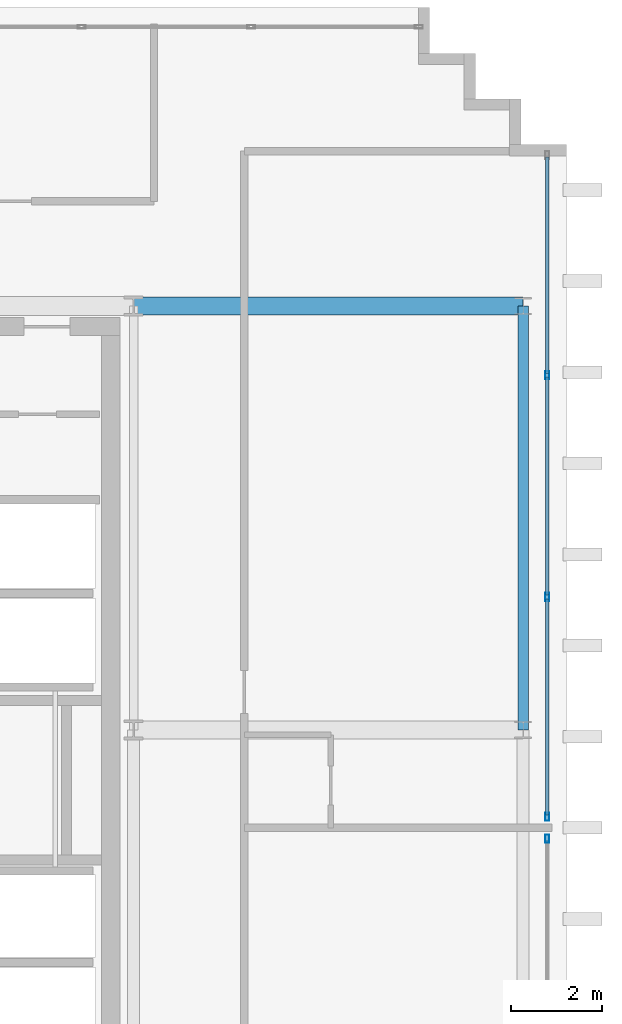
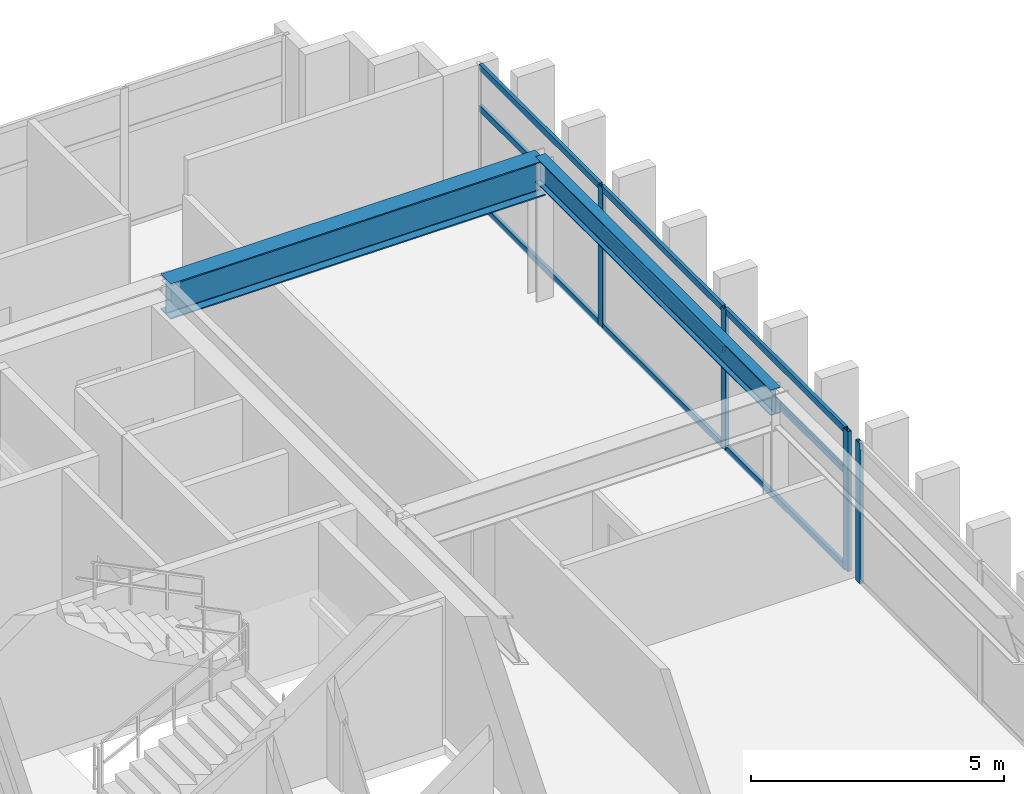
# One storey, part 8 of 15: 13 members, 2 beams, 2 elements without a shape of their own.
"""IFC4 building model written with IfcOpenShell, lengths in metres."""

from ifc_helpers import new_model, si_unit, direction, frame, origin, origin_2d, place, context, subcontext, project, spatial, hollow_rectangle, i_section, extrude, source, transform, mapped, material, layer, layer_set, material_profile, profile_set, type_object, element, aggregate, save


model = new_model("IFC4")

# Units and contexts
model_context = context("Model", 3, precision=1e-05, world=origin(), true_north=direction((0.0, 1.0)))
body_context = subcontext(model_context, "Body", "Model", "MODEL_VIEW")
ifc_project = project(units=[si_unit("LENGTHUNIT", "METRE"), si_unit("AREAUNIT", "SQUARE_METRE"), si_unit("VOLUMEUNIT", "CUBIC_METRE"), si_unit("PLANEANGLEUNIT", "RADIAN"), si_unit("MASSUNIT", "GRAM", prefix="KILO")], contexts=[model_context])

# Site, building, storey
site_placement = place(None, origin())
site = spatial("IfcSite", under=ifc_project, at=site_placement, CompositionType="ELEMENT")
building_placement = place(site_placement, origin())
building = spatial("IfcBuilding", under=site, at=building_placement, Name="Ocotamira Hotel", CompositionType="ELEMENT")
storey_placement = place(building_placement, frame((0.0, 0.0, 294.0)))
storey = spatial("IfcBuildingStorey", under=building, at=storey_placement, Name="L75", CompositionType="ELEMENT", Elevation=294.0)

# Beams
ifc_material_1 = material(Name="Steel ASTM A992 Grade 50", Category="steel")
ifc_material_profile_1 = material_profile(ifc_material_1, i_section(OverallWidth=0.22998046875, OverallDepth=0.616943359375, WebThickness=0.01318359375, FlangeThickness=0.022216796875, FilletRadius=0.012939453125, at=origin_2d()), Name="W24X94")
ifc_profile_set_1 = profile_set([ifc_material_profile_1], Name="Steel ASTM A992 Grade 50")
beam_type_1 = type_object("IfcBeamType", Name="BM-PRIM-W24X94", PredefinedType="BEAM", material=ifc_profile_set_1)
shared_shape_1 = source(origin(), body_context, "Body", "SweptSolid", [
    extrude(i_section(OverallWidth=0.22998046875, OverallDepth=0.616943359375, WebThickness=0.01318359375, FlangeThickness=0.022216796875, FilletRadius=0.012939453125, at=origin_2d()), origin(), (0.0, 0.0, 1.0), 9.300048828125),
])
beam_1_placement = place(storey_placement, frame((32.050048828125, 28.14990234375, 3.071533203125), z_axis=(0.0, 1.0, 0.0), x_axis=(-1.0, 0.0, 0.0)))
element("IfcBeam", 1, at=beam_1_placement, inside=storey, type_object=beam_type_1, Name="L75 Beam X32.05 Y28.15-37.45", PredefinedType="BEAM", context=body_context, shape_type="MappedRepresentation", body=[
    mapped(shared_shape_1, transform((0.0, 0.0, 0.0), scale=1.0)),
])
ifc_material_profile_2 = material_profile(ifc_material_1, i_section(OverallWidth=0.39990234375, OverallDepth=0.85595703125, WebThickness=0.018310546875, FlangeThickness=0.029296875, FilletRadius=0.02001953125, at=origin_2d()), Name="W33X201")
ifc_profile_set_2 = profile_set([ifc_material_profile_2], Name="Steel ASTM A992 Grade 50")
beam_type_2 = type_object("IfcBeamType", Name="BM-GIRD-W33X201", PredefinedType="BEAM", material=ifc_profile_set_2)
shared_shape_2 = source(origin(), body_context, "Body", "SweptSolid", [
    extrude(i_section(OverallWidth=0.39990234375, OverallDepth=0.85595703125, WebThickness=0.018310546875, FlangeThickness=0.029296875, FilletRadius=0.02001953125, at=origin_2d()), origin(), (0.0, 0.0, 1.0), 8.550048828125),
])
beam_2_placement = place(storey_placement, frame((23.5, 37.449951171875, 2.951904296875), z_axis=(1.0, 0.0, 0.0), x_axis=(0.0, 1.0, 0.0)))
element("IfcBeam", 2, at=beam_2_placement, inside=storey, type_object=beam_type_2, Name="L75 Girder Y37.45 X23.5-32.05", PredefinedType="BEAM", context=body_context, shape_type="MappedRepresentation", body=[
    mapped(shared_shape_2, transform((0.0, 0.0, 0.0), scale=1.0)),
])

# Curtain wall, member
ifc_material_2 = material(Name="Anodised pale-metal aluminium and solar glass", Category="aluminium")
ifc_layer = layer(ifc_material_2, 0.2099609375)
ifc_layer_set = layer_set([ifc_layer], Name="Anodised pale-metal aluminium and solar glass")
curtain_wall_type = type_object("IfcCurtainWallType", Name="CW-SYS7-PEAK", PredefinedType="NOTDEFINED", material=ifc_layer_set)
curtain_wall_1_placement = place(storey_placement, origin())
curtain_wall_1 = element("IfcCurtainWall", 3, at=curtain_wall_1_placement, inside=storey, type_object=curtain_wall_type, Name="L75 Curtain Wall CW-7 CW-L75-E1", PredefinedType="NOTDEFINED")
ifc_material_3 = material(Name="Anodised pale-metal aluminium 6063-T6", Category="aluminium")
ifc_material_profile_3 = material_profile(ifc_material_3, hollow_rectangle(XDim=0.080078125, YDim=0.179931640625, WallThickness=0.006103515625, at=origin_2d()), Name="HSS180X80X6")
ifc_profile_set_3 = profile_set([ifc_material_profile_3], Name="Anodised pale-metal aluminium 6063-T6")
member_type_1 = type_object("IfcMemberType", Name="CWM-180X75", PredefinedType="MULLION", material=ifc_profile_set_3)
shared_shape_3 = source(origin(), body_context, "Body", "SweptSolid", [
    extrude(hollow_rectangle(XDim=0.080078125, YDim=0.179931640625, WallThickness=0.006103515625, at=origin_2d()), origin(), (0.0, 0.0, 1.0), 3.3798828125),
])
member_1_placement = place(storey_placement, frame((32.580078125, 25.760009765625, 0.0), z_axis=(0.0, 0.0, 1.0), x_axis=(-1.0, 0.0, 0.0)))
member_1 = element("IfcMember", 4, at=member_1_placement, type_object=member_type_1, Name="CW-7 mullion 4", PredefinedType="MULLION", context=body_context, shape_type="MappedRepresentation", body=[
    mapped(shared_shape_3, transform((0.0, 0.0, 0.0), scale=1.0)),
])
aggregate(curtain_wall_1, [member_1])

# Curtain wall, members
curtain_wall_2_placement = place(storey_placement, origin())
curtain_wall_2 = element("IfcCurtainWall", 5, at=curtain_wall_2_placement, inside=storey, type_object=curtain_wall_type, Name="L75 Curtain Wall CW-7 CW-L75-E2", PredefinedType="NOTDEFINED")
member_2_placement = place(storey_placement, frame((32.580078125, 26.239990234375, 0.0), z_axis=(0.0, 0.0, 1.0), x_axis=(-1.0, 0.0, 0.0)))
member_2 = element("IfcMember", 6, at=member_2_placement, type_object=member_type_1, Name="CW-7 mullion 1", PredefinedType="MULLION", context=body_context, shape_type="MappedRepresentation", body=[
    mapped(shared_shape_3, transform((0.0, 0.0, 0.0), scale=1.0)),
])
member_3_placement = place(storey_placement, frame((32.580078125, 31.066650390625, 0.0), z_axis=(0.0, 0.0, 1.0), x_axis=(-1.0, 0.0, 0.0)))
member_3 = element("IfcMember", 7, at=member_3_placement, type_object=member_type_1, Name="CW-7 mullion 2", PredefinedType="MULLION", context=body_context, shape_type="MappedRepresentation", body=[
    mapped(shared_shape_3, transform((0.0, 0.0, 0.0), scale=1.0)),
])
member_4_placement = place(storey_placement, frame((32.580078125, 35.933349609375, 0.0), z_axis=(0.0, 0.0, 1.0), x_axis=(-1.0, 0.0, 0.0)))
member_4 = element("IfcMember", 8, at=member_4_placement, type_object=member_type_1, Name="CW-7 mullion 3", PredefinedType="MULLION", context=body_context, shape_type="MappedRepresentation", body=[
    mapped(shared_shape_3, transform((0.0, 0.0, 0.0), scale=1.0)),
])
ifc_material_profile_4 = material_profile(ifc_material_3, hollow_rectangle(XDim=0.074951171875, YDim=0.14990234375, WallThickness=0.006103515625, at=origin_2d()), Name="HSS150X75X6")
ifc_profile_set_4 = profile_set([ifc_material_profile_4], Name="Anodised pale-metal aluminium 6063-T6")
member_type_2 = type_object("IfcMemberType", Name="CWT-150X75", PredefinedType="USERDEFINED", material=ifc_profile_set_4)
shared_shape_4 = source(origin(), body_context, "Body", "SweptSolid", [
    extrude(hollow_rectangle(XDim=0.074951171875, YDim=0.14990234375, WallThickness=0.006103515625, at=origin_2d()), origin(), (0.0, 0.0, 1.0), 4.74658203125),
])
member_5_placement = place(storey_placement, frame((32.580078125, 26.280029296875, 0.03759765625), z_axis=(0.0, 1.0, 0.0), x_axis=(-1.0, 0.0, 0.0)))
member_5 = element("IfcMember", 9, at=member_5_placement, type_object=member_type_2, Name="CW-7 transom 1.1", ObjectType="TRANSOM", PredefinedType="USERDEFINED", context=body_context, shape_type="MappedRepresentation", body=[
    mapped(shared_shape_4, transform((0.0, 0.0, 0.0), scale=1.0)),
])
member_6_placement = place(storey_placement, frame((32.580078125, 26.280029296875, 2.35009765625), z_axis=(0.0, 1.0, 0.0), x_axis=(-1.0, 0.0, 0.0)))
member_6 = element("IfcMember", 10, at=member_6_placement, type_object=member_type_2, Name="CW-7 transom 1.2", ObjectType="TRANSOM", PredefinedType="USERDEFINED", context=body_context, shape_type="MappedRepresentation", body=[
    mapped(shared_shape_4, transform((0.0, 0.0, 0.0), scale=1.0)),
])
member_7_placement = place(storey_placement, frame((32.580078125, 26.280029296875, 3.342529296875), z_axis=(0.0, 1.0, 0.0), x_axis=(-1.0, 0.0, 0.0)))
member_7 = element("IfcMember", 11, at=member_7_placement, type_object=member_type_2, Name="CW-7 transom 1.3", ObjectType="TRANSOM", PredefinedType="USERDEFINED", context=body_context, shape_type="MappedRepresentation", body=[
    mapped(shared_shape_4, transform((0.0, 0.0, 0.0), scale=1.0)),
])
member_8_placement = place(storey_placement, frame((32.580078125, 35.973388671875, 0.03759765625), z_axis=(0.0, 1.0, 0.0), x_axis=(-1.0, 0.0, 0.0)))
member_8 = element("IfcMember", 12, at=member_8_placement, type_object=member_type_2, Name="CW-7 transom 3.1", ObjectType="TRANSOM", PredefinedType="USERDEFINED", context=body_context, shape_type="MappedRepresentation", body=[
    mapped(shared_shape_4, transform((0.0, 0.0, 0.0), scale=1.0)),
])
member_9_placement = place(storey_placement, frame((32.580078125, 35.973388671875, 2.35009765625), z_axis=(0.0, 1.0, 0.0), x_axis=(-1.0, 0.0, 0.0)))
member_9 = element("IfcMember", 13, at=member_9_placement, type_object=member_type_2, Name="CW-7 transom 3.2", ObjectType="TRANSOM", PredefinedType="USERDEFINED", context=body_context, shape_type="MappedRepresentation", body=[
    mapped(shared_shape_4, transform((0.0, 0.0, 0.0), scale=1.0)),
])
member_10_placement = place(storey_placement, frame((32.580078125, 35.973388671875, 3.342529296875), z_axis=(0.0, 1.0, 0.0), x_axis=(-1.0, 0.0, 0.0)))
member_10 = element("IfcMember", 14, at=member_10_placement, type_object=member_type_2, Name="CW-7 transom 3.3", ObjectType="TRANSOM", PredefinedType="USERDEFINED", context=body_context, shape_type="MappedRepresentation", body=[
    mapped(shared_shape_4, transform((0.0, 0.0, 0.0), scale=1.0)),
])
shared_shape_5 = source(origin(), body_context, "Body", "SweptSolid", [
    extrude(hollow_rectangle(XDim=0.074951171875, YDim=0.14990234375, WallThickness=0.006103515625, at=origin_2d()), origin(), (0.0, 0.0, 1.0), 4.78662109375),
])
member_11_placement = place(storey_placement, frame((32.580078125, 31.106689453125, 0.03759765625), z_axis=(0.0, 1.0, 0.0), x_axis=(-1.0, 0.0, 0.0)))
member_11 = element("IfcMember", 15, at=member_11_placement, type_object=member_type_2, Name="CW-7 transom 2.1", ObjectType="TRANSOM", PredefinedType="USERDEFINED", context=body_context, shape_type="MappedRepresentation", body=[
    mapped(shared_shape_5, transform((0.0, 0.0, 0.0), scale=1.0)),
])
member_12_placement = place(storey_placement, frame((32.580078125, 31.106689453125, 2.35009765625), z_axis=(0.0, 1.0, 0.0), x_axis=(-1.0, 0.0, 0.0)))
member_12 = element("IfcMember", 16, at=member_12_placement, type_object=member_type_2, Name="CW-7 transom 2.2", ObjectType="TRANSOM", PredefinedType="USERDEFINED", context=body_context, shape_type="MappedRepresentation", body=[
    mapped(shared_shape_5, transform((0.0, 0.0, 0.0), scale=1.0)),
])
member_13_placement = place(storey_placement, frame((32.580078125, 31.106689453125, 3.342529296875), z_axis=(0.0, 1.0, 0.0), x_axis=(-1.0, 0.0, 0.0)))
member_13 = element("IfcMember", 17, at=member_13_placement, type_object=member_type_2, Name="CW-7 transom 2.3", ObjectType="TRANSOM", PredefinedType="USERDEFINED", context=body_context, shape_type="MappedRepresentation", body=[
    mapped(shared_shape_5, transform((0.0, 0.0, 0.0), scale=1.0)),
])
aggregate(curtain_wall_2, [member_2, member_3, member_4, member_5, member_6, member_7, member_11, member_12, member_13, member_8, member_9, member_10])

save(model, "model.ifc")
